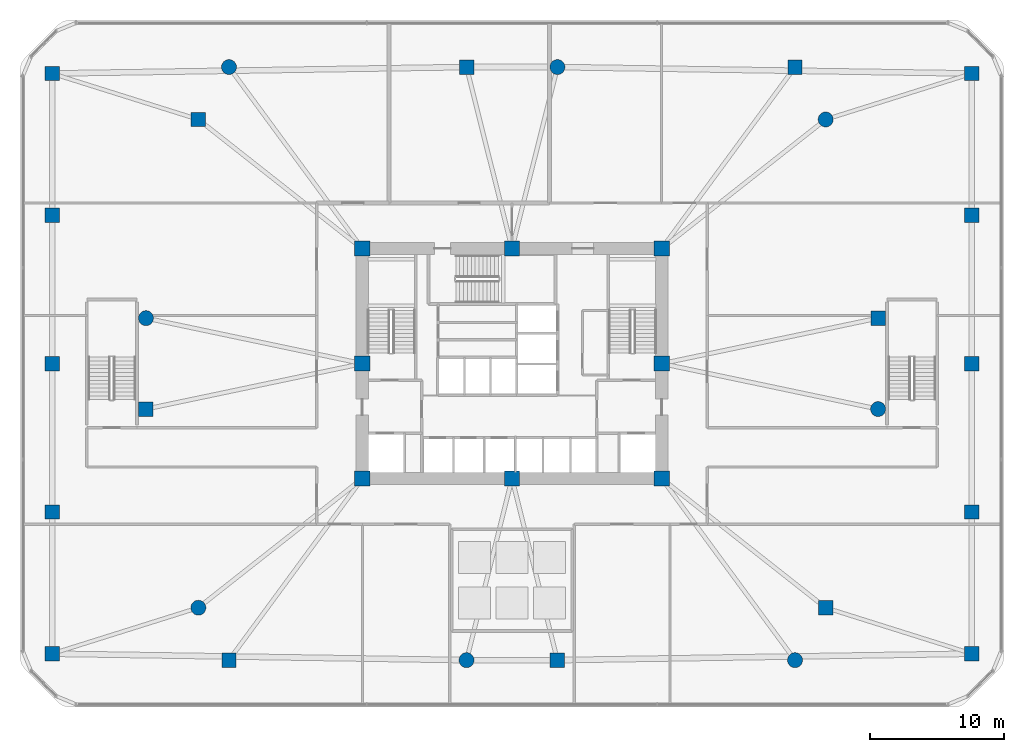
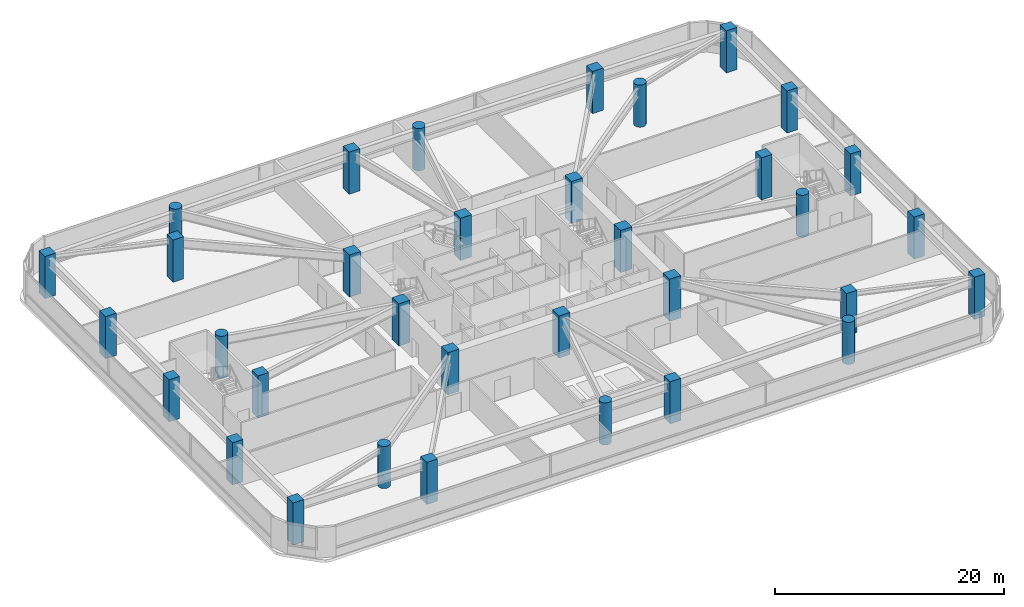
# One storey, part 1 of 21: 34 columns.
"""IFC4 building model written with IfcOpenShell, lengths in metres."""

from ifc_helpers import new_model, si_unit, derived_unit, direction, frame, origin, origin_2d, place, context, subcontext, project, spatial, rectangle, circle, extrude, material, material_profile, profile_set, type_object, element, save


model = new_model("IFC4")

# Units and contexts
model_context = context("Model", 3, precision=1e-05, world=origin(), true_north=direction((0.0, 1.0)))
body_context = subcontext(model_context, "Body", "Model", "MODEL_VIEW")
ifc_project = project(units=[si_unit("LENGTHUNIT", "METRE"), si_unit("AREAUNIT", "SQUARE_METRE"), si_unit("VOLUMEUNIT", "CUBIC_METRE"), si_unit("PLANEANGLEUNIT", "RADIAN"), si_unit("MASSUNIT", "GRAM", prefix="KILO"), derived_unit("THERMALTRANSMITTANCEUNIT", [(si_unit("POWERUNIT", "WATT"), 1), (si_unit("LENGTHUNIT", "METRE"), -2), (si_unit("THERMODYNAMICTEMPERATUREUNIT", "KELVIN"), -1)])], contexts=[model_context])

# Site, building, storey
site_placement = place(None, origin())
site = spatial("IfcSite", under=ifc_project, at=site_placement, CompositionType="ELEMENT")
building_placement = place(site_placement, origin())
building = spatial("IfcBuilding", under=site, at=building_placement, Name="Koralith Skygarden Medical Center", CompositionType="ELEMENT")
storey_placement = place(building_placement, frame((0.0, 0.0, 9.89990234375)))
storey = spatial("IfcBuildingStorey", under=building, at=storey_placement, Name="L02", CompositionType="ELEMENT", Elevation=9.89990234375)

# Columns
ifc_material = material(Name="Concrete C70/85", Category="concrete")
ifc_material_profile_1 = material_profile(ifc_material, rectangle(XDim=1.139892578125, YDim=1.139892578125, at=origin_2d()), Name="RC1140X1140")
ifc_profile_set_1 = profile_set([ifc_material_profile_1], Name="Concrete C70/85")
column_type_1 = type_object("IfcColumnType", Name="Core Mega-Column C70 RC1140", PredefinedType="COLUMN", material=ifc_profile_set_1)
for number, where, z_axis, x_axis, name in (
    (1, (25.800048828125, 17.300048828125, 0.0), (0.0, 0.0, 1.0), (1.0, 0.0, 0.0), "L02 Core Column CC-01"),
    (2, (37.0, 17.300048828125, 0.0), (0.0, 0.0, 1.0), (1.0, 0.0, 0.0), "L02 Core Column CC-02"),
    (3, (48.199951171875, 17.300048828125, 0.0), (0.0, 0.0, 1.0), (1.0, 0.0, 0.0), "L02 Core Column CC-03"),
    (4, (48.199951171875, 25.89990234375, 0.0), (0.0, 0.0, 1.0), (1.0, 0.0, 0.0), "L02 Core Column CC-04"),
    (5, (48.199951171875, 34.5, 0.0), (0.0, 0.0, 1.0), (1.0, 0.0, 0.0), "L02 Core Column CC-05"),
    (6, (37.0, 34.5, 0.0), (0.0, 0.0, 1.0), (1.0, 0.0, 0.0), "L02 Core Column CC-06"),
    (7, (25.800048828125, 34.5, 0.0), (0.0, 0.0, 1.0), (1.0, 0.0, 0.0), "L02 Core Column CC-07"),
    (8, (25.800048828125, 25.89990234375, 0.0), (0.0, 0.0, 1.0), (1.0, 0.0, 0.0), "L02 Core Column CC-08"),
):
    element("IfcColumn", number, at=place(storey_placement, frame(where, z_axis=z_axis, x_axis=x_axis)), inside=storey, type_object=column_type_1, Name=name, PredefinedType="COLUMN", context=body_context, shape_type="SweptSolid", body=[
        extrude(rectangle(XDim=1.139892578125, YDim=1.139892578125, at=origin_2d()), origin(), (0.0, 0.0, 1.0), 4.5),
    ])
ifc_material_profile_2 = material_profile(ifc_material, rectangle(XDim=1.080078125, YDim=1.080078125, at=origin_2d()), Name="RC1080X1080")
ifc_profile_set_2 = profile_set([ifc_material_profile_2], Name="Concrete C70/85")
column_type_2 = type_object("IfcColumnType", Name="Podium Perimeter Column C70 RC1080", PredefinedType="COLUMN", material=ifc_profile_set_2)
for number, where, z_axis, x_axis, name in (
    (9, (2.60009765625, 4.199951171875, 0.0), (0.0, 0.0, 1.0), (1.0, 0.0, 0.0), "L02 Podium Perimeter Column PC-01"),
    (10, (2.60009765625, 14.800048828125, 0.0), (0.0, 0.0, 1.0), (1.0, 0.0, 0.0), "L02 Podium Perimeter Column PC-02"),
    (11, (2.60009765625, 25.89990234375, 0.0), (0.0, 0.0, 1.0), (1.0, 0.0, 0.0), "L02 Podium Perimeter Column PC-03"),
    (12, (2.60009765625, 37.0, 0.0), (0.0, 0.0, 1.0), (1.0, 0.0, 0.0), "L02 Podium Perimeter Column PC-04"),
    (13, (2.60009765625, 47.60009765625, 0.0), (0.0, 0.0, 1.0), (1.0, 0.0, 0.0), "L02 Podium Perimeter Column PC-05"),
    (14, (71.39990234375, 4.199951171875, 0.0), (0.0, 0.0, 1.0), (1.0, 0.0, 0.0), "L02 Podium Perimeter Column PC-06"),
    (15, (71.39990234375, 14.800048828125, 0.0), (0.0, 0.0, 1.0), (1.0, 0.0, 0.0), "L02 Podium Perimeter Column PC-07"),
    (16, (71.39990234375, 25.89990234375, 0.0), (0.0, 0.0, 1.0), (1.0, 0.0, 0.0), "L02 Podium Perimeter Column PC-08"),
    (17, (71.39990234375, 37.0, 0.0), (0.0, 0.0, 1.0), (1.0, 0.0, 0.0), "L02 Podium Perimeter Column PC-09"),
    (18, (71.39990234375, 47.60009765625, 0.0), (0.0, 0.0, 1.0), (1.0, 0.0, 0.0), "L02 Podium Perimeter Column PC-10"),
):
    element("IfcColumn", number, at=place(storey_placement, frame(where, z_axis=z_axis, x_axis=x_axis)), inside=storey, type_object=column_type_2, Name=name, PredefinedType="COLUMN", context=body_context, shape_type="SweptSolid", body=[
        extrude(rectangle(XDim=1.080078125, YDim=1.080078125, at=origin_2d()), origin(), (0.0, 0.0, 1.0), 4.5),
    ])
ifc_material_profile_3 = material_profile(ifc_material, circle(Radius=0.56005859375, at=origin_2d()), Name="RCCOL1120")
ifc_profile_set_3 = profile_set([ifc_material_profile_3], Name="Concrete C70/85")
column_type_3 = type_object("IfcColumnType", Name="Station Round Mega-Column C70 D1120", PredefinedType="COLUMN", material=ifc_profile_set_3)
for number, where, z_axis, x_axis, name in (
    (19, (13.5400390625, 7.639892578125, 0.0), (0.0, 0.0, 1.0), (1.0, 0.0, 0.0), "L02 Tower Base Mega-Column TB-02"),
    (20, (33.60009765625, 3.719970703125, 0.0), (0.0, 0.0, 1.0), (1.0, 0.0, 0.0), "L02 Tower Base Mega-Column TB-04"),
    (21, (58.16796875, 3.719970703125, 0.0), (0.0, 0.0, 1.0), (1.0, 0.0, 0.0), "L02 Tower Base Mega-Column TB-06"),
    (22, (64.3798828125, 22.5, 0.0), (0.0, 0.0, 1.0), (1.0, 0.0, 0.0), "L02 Tower Base Mega-Column TB-08"),
    (23, (60.4599609375, 44.159912109375, 0.0), (0.0, 0.0, 1.0), (1.0, 0.0, 0.0), "L02 Tower Base Mega-Column TB-10"),
    (24, (40.39990234375, 48.080078125, 0.0), (0.0, 0.0, 1.0), (1.0, 0.0, 0.0), "L02 Tower Base Mega-Column TB-12"),
    (25, (15.83203125, 48.080078125, 0.0), (0.0, 0.0, 1.0), (1.0, 0.0, 0.0), "L02 Tower Base Mega-Column TB-14"),
    (26, (9.6201171875, 29.300048828125, 0.0), (0.0, 0.0, 1.0), (1.0, 0.0, 0.0), "L02 Tower Base Mega-Column TB-16"),
):
    element("IfcColumn", number, at=place(storey_placement, frame(where, z_axis=z_axis, x_axis=x_axis)), inside=storey, type_object=column_type_3, Name=name, PredefinedType="COLUMN", context=body_context, shape_type="SweptSolid", body=[
        extrude(circle(Radius=0.56005859375, at=origin_2d()), origin(), (0.0, 0.0, 1.0), 4.5),
    ])
ifc_material_profile_4 = material_profile(ifc_material, rectangle(XDim=1.080078125, YDim=1.080078125, at=origin_2d()), Name="RC1080X1080")
ifc_profile_set_4 = profile_set([ifc_material_profile_4], Name="Concrete C70/85")
column_type_4 = type_object("IfcColumnType", Name="Zone 1 Octagonal Mega-Column C70 RC1080", PredefinedType="COLUMN", material=ifc_profile_set_4)
for number, where, z_axis, x_axis, name in (
    (27, (9.6201171875, 22.5, 0.0), (0.0, 0.0, 1.0), (1.0, 0.0, 0.0), "L02 Tower Base Mega-Column TB-01"),
    (28, (15.83203125, 3.719970703125, 0.0), (0.0, 0.0, 1.0), (1.0, 0.0, 0.0), "L02 Tower Base Mega-Column TB-03"),
    (29, (40.39990234375, 3.719970703125, 0.0), (0.0, 0.0, 1.0), (1.0, 0.0, 0.0), "L02 Tower Base Mega-Column TB-05"),
    (30, (60.4599609375, 7.639892578125, 0.0), (0.0, 0.0, 1.0), (1.0, 0.0, 0.0), "L02 Tower Base Mega-Column TB-07"),
    (31, (64.3798828125, 29.300048828125, 0.0), (0.0, 0.0, 1.0), (1.0, 0.0, 0.0), "L02 Tower Base Mega-Column TB-09"),
    (32, (58.16796875, 48.080078125, 0.0), (0.0, 0.0, 1.0), (1.0, 0.0, 0.0), "L02 Tower Base Mega-Column TB-11"),
    (33, (33.60009765625, 48.080078125, 0.0), (0.0, 0.0, 1.0), (1.0, 0.0, 0.0), "L02 Tower Base Mega-Column TB-13"),
    (34, (13.5400390625, 44.159912109375, 0.0), (0.0, 0.0, 1.0), (1.0, 0.0, 0.0), "L02 Tower Base Mega-Column TB-15"),
):
    element("IfcColumn", number, at=place(storey_placement, frame(where, z_axis=z_axis, x_axis=x_axis)), inside=storey, type_object=column_type_4, Name=name, PredefinedType="COLUMN", context=body_context, shape_type="SweptSolid", body=[
        extrude(rectangle(XDim=1.080078125, YDim=1.080078125, at=origin_2d()), origin(), (0.0, 0.0, 1.0), 4.5),
    ])

save(model, "model.ifc")
